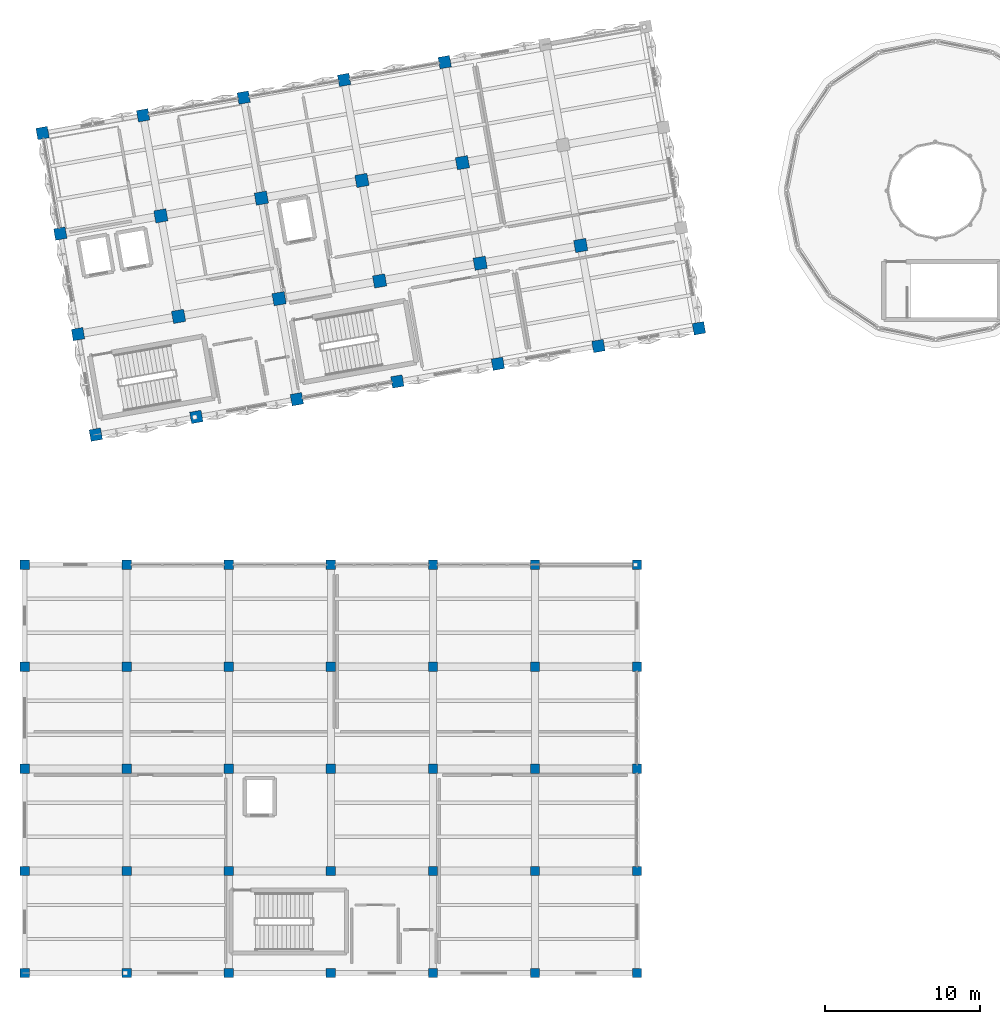
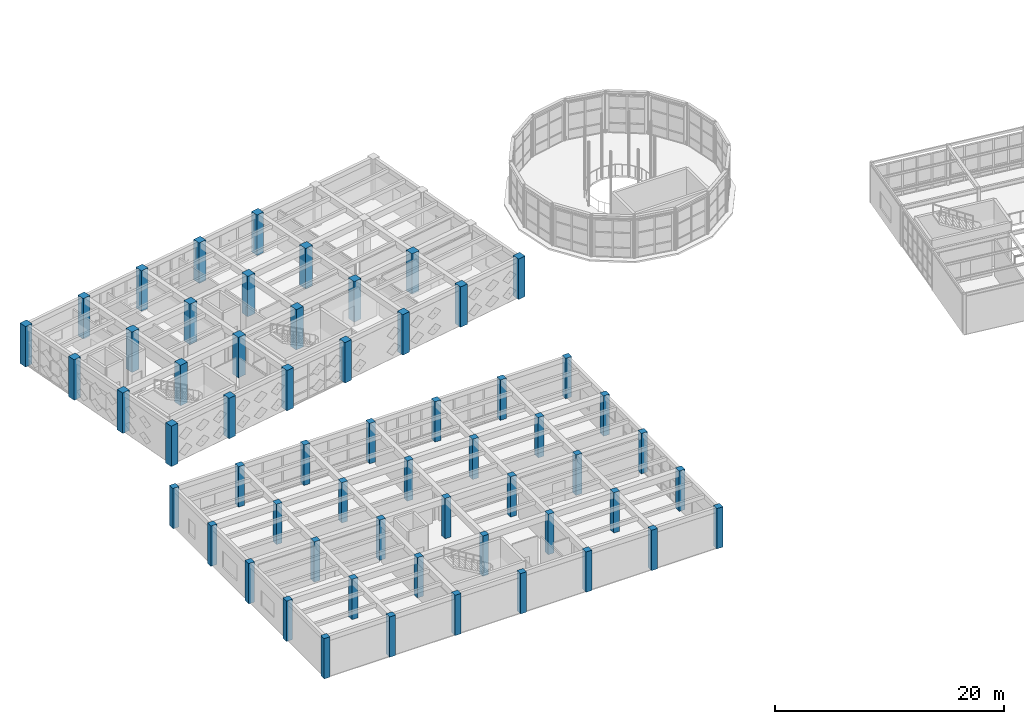
# One storey, part 1 of 80: 58 columns.
"""IFC4 building model written with IfcOpenShell, lengths in metres."""

from ifc_helpers import new_model, si_unit, direction, frame, origin, origin_2d, place, context, subcontext, project, spatial, rectangle, extrude, material, material_profile, profile_set, type_object, element, save


model = new_model("IFC4")

# Units and contexts
model_context = context("Model", 3, precision=1e-05, world=origin(), true_north=direction((0.0, 1.0)))
body_context = subcontext(model_context, "Body", "Model", "MODEL_VIEW")
ifc_project = project(units=[si_unit("LENGTHUNIT", "METRE"), si_unit("AREAUNIT", "SQUARE_METRE"), si_unit("VOLUMEUNIT", "CUBIC_METRE"), si_unit("PLANEANGLEUNIT", "RADIAN"), si_unit("MASSUNIT", "GRAM", prefix="KILO")], contexts=[model_context])

# Site, building, storey
site_placement = place(None, origin())
site = spatial("IfcSite", under=ifc_project, at=site_placement, CompositionType="ELEMENT")
building_placement = place(site_placement, origin())
building = spatial("IfcBuilding", under=site, at=building_placement, Name="Kharisveld Research Institute", CompositionType="ELEMENT")
storey_placement = place(building_placement, frame((0.0, 0.0, 5.10009765625)))
storey = spatial("IfcBuildingStorey", under=building, at=storey_placement, Name="L01", CompositionType="ELEMENT", Elevation=5.10009765625)

# Columns
ifc_material_1 = material(Name="Concrete C40/50", Category="concrete")
ifc_material_profile_1 = material_profile(ifc_material_1, rectangle(XDim=0.60009765625, YDim=0.60009765625, at=origin_2d()))
ifc_profile_set_1 = profile_set([ifc_material_profile_1], Name="Concrete C40/50")
column_type_1 = type_object("IfcColumnType", Name="COL_RC_600", PredefinedType="COLUMN", material=ifc_profile_set_1)
for number, where, z_axis, x_axis, name in (
    (1, (0.60009765625, 0.199951171875, 0.0), (0.0, 0.0, 1.0), (1.0, 0.0, 0.0), "COL:V3:L01:U0V0"),
    (2, (0.60009765625, 6.800048828125, 0.0), (0.0, 0.0, 1.0), (1.0, 0.0, 0.0), "COL:V3:L01:U0V1"),
    (3, (0.60009765625, 13.39990234375, 0.0), (0.0, 0.0, 1.0), (1.0, 0.0, 0.0), "COL:V3:L01:U0V2"),
    (4, (0.60009765625, 20.0, 0.0), (0.0, 0.0, 1.0), (1.0, 0.0, 0.0), "COL:V3:L01:U0V3"),
    (5, (0.60009765625, 26.60009765625, 0.0), (0.0, 0.0, 1.0), (1.0, 0.0, 0.0), "COL:V3:L01:U0V4"),
    (6, (7.199951171875, 0.199951171875, 0.0), (0.0, 0.0, 1.0), (1.0, 0.0, 0.0), "COL:V3:L01:U1V0"),
    (7, (7.199951171875, 6.800048828125, 0.0), (0.0, 0.0, 1.0), (1.0, 0.0, 0.0), "COL:V3:L01:U1V1"),
    (8, (7.199951171875, 13.39990234375, 0.0), (0.0, 0.0, 1.0), (1.0, 0.0, 0.0), "COL:V3:L01:U1V2"),
    (9, (7.199951171875, 20.0, 0.0), (0.0, 0.0, 1.0), (1.0, 0.0, 0.0), "COL:V3:L01:U1V3"),
    (10, (7.199951171875, 26.60009765625, 0.0), (0.0, 0.0, 1.0), (1.0, 0.0, 0.0), "COL:V3:L01:U1V4"),
    (11, (13.800048828125, 0.199951171875, 0.0), (0.0, 0.0, 1.0), (1.0, 0.0, 0.0), "COL:V3:L01:U2V0"),
    (12, (13.800048828125, 6.800048828125, 0.0), (0.0, 0.0, 1.0), (1.0, 0.0, 0.0), "COL:V3:L01:U2V1"),
    (13, (13.800048828125, 13.39990234375, 0.0), (0.0, 0.0, 1.0), (1.0, 0.0, 0.0), "COL:V3:L01:U2V2"),
    (14, (13.800048828125, 20.0, 0.0), (0.0, 0.0, 1.0), (1.0, 0.0, 0.0), "COL:V3:L01:U2V3"),
    (15, (13.800048828125, 26.60009765625, 0.0), (0.0, 0.0, 1.0), (1.0, 0.0, 0.0), "COL:V3:L01:U2V4"),
    (16, (20.39990234375, 0.199951171875, 0.0), (0.0, 0.0, 1.0), (1.0, 0.0, 0.0), "COL:V3:L01:U3V0"),
    (17, (20.39990234375, 6.800048828125, 0.0), (0.0, 0.0, 1.0), (1.0, 0.0, 0.0), "COL:V3:L01:U3V1"),
    (18, (20.39990234375, 13.39990234375, 0.0), (0.0, 0.0, 1.0), (1.0, 0.0, 0.0), "COL:V3:L01:U3V2"),
    (19, (20.39990234375, 20.0, 0.0), (0.0, 0.0, 1.0), (1.0, 0.0, 0.0), "COL:V3:L01:U3V3"),
    (20, (20.39990234375, 26.60009765625, 0.0), (0.0, 0.0, 1.0), (1.0, 0.0, 0.0), "COL:V3:L01:U3V4"),
    (21, (27.0, 0.199951171875, 0.0), (0.0, 0.0, 1.0), (1.0, 0.0, 0.0), "COL:V3:L01:U4V0"),
    (22, (27.0, 6.800048828125, 0.0), (0.0, 0.0, 1.0), (1.0, 0.0, 0.0), "COL:V3:L01:U4V1"),
    (23, (27.0, 13.39990234375, 0.0), (0.0, 0.0, 1.0), (1.0, 0.0, 0.0), "COL:V3:L01:U4V2"),
    (24, (27.0, 20.0, 0.0), (0.0, 0.0, 1.0), (1.0, 0.0, 0.0), "COL:V3:L01:U4V3"),
    (25, (27.0, 26.60009765625, 0.0), (0.0, 0.0, 1.0), (1.0, 0.0, 0.0), "COL:V3:L01:U4V4"),
    (26, (33.60009765625, 0.199951171875, 0.0), (0.0, 0.0, 1.0), (1.0, 0.0, 0.0), "COL:V3:L01:U5V0"),
    (27, (33.60009765625, 6.800048828125, 0.0), (0.0, 0.0, 1.0), (1.0, 0.0, 0.0), "COL:V3:L01:U5V1"),
    (28, (33.60009765625, 13.39990234375, 0.0), (0.0, 0.0, 1.0), (1.0, 0.0, 0.0), "COL:V3:L01:U5V2"),
    (29, (33.60009765625, 20.0, 0.0), (0.0, 0.0, 1.0), (1.0, 0.0, 0.0), "COL:V3:L01:U5V3"),
    (30, (33.60009765625, 26.60009765625, 0.0), (0.0, 0.0, 1.0), (1.0, 0.0, 0.0), "COL:V3:L01:U5V4"),
    (31, (40.199951171875, 0.199951171875, 0.0), (0.0, 0.0, 1.0), (1.0, 0.0, 0.0), "COL:V3:L01:U6V0"),
    (32, (40.199951171875, 6.800048828125, 0.0), (0.0, 0.0, 1.0), (1.0, 0.0, 0.0), "COL:V3:L01:U6V1"),
    (33, (40.199951171875, 13.39990234375, 0.0), (0.0, 0.0, 1.0), (1.0, 0.0, 0.0), "COL:V3:L01:U6V2"),
    (34, (40.199951171875, 20.0, 0.0), (0.0, 0.0, 1.0), (1.0, 0.0, 0.0), "COL:V3:L01:U6V3"),
    (35, (40.199951171875, 26.60009765625, 0.0), (0.0, 0.0, 1.0), (1.0, 0.0, 0.0), "COL:V3:L01:U6V4"),
):
    element("IfcColumn", number, at=place(storey_placement, frame(where, z_axis=z_axis, x_axis=x_axis)), inside=storey, type_object=column_type_1, Name=name, PredefinedType="COLUMN", context=body_context, shape_type="SweptSolid", body=[
        extrude(rectangle(XDim=0.60009765625, YDim=0.60009765625, at=origin_2d()), origin(), (0.0, 0.0, 1.0), 4.2998046875),
    ])
ifc_material_2 = material(Name="Concrete C50/60", Category="concrete")
ifc_material_profile_2 = material_profile(ifc_material_2, rectangle(XDim=0.75, YDim=0.75, at=origin_2d()))
ifc_profile_set_2 = profile_set([ifc_material_profile_2], Name="Concrete C50/60")
column_type_2 = type_object("IfcColumnType", Name="COL_RC_750", PredefinedType="COLUMN", material=ifc_profile_set_2)
for number, where, z_axis, x_axis, name in (
    (36, (5.199951171875, 35.010009765625, 0.0), (0.0, 0.0, 1.0), (0.984807753012, 0.173648177667, 0.0), "COL:V1:L01:U0V0"),
    (37, (4.053955078125, 41.509765625, 0.0), (0.0, 0.0, 1.0), (0.984807753012, 0.173648177667, 0.0), "COL:V1:L01:U0V1"),
    (38, (2.907958984375, 48.009521484375, 0.0), (0.0, 0.0, 1.0), (0.984807753012, 0.173648177667, 0.0), "COL:V1:L01:U0V2"),
    (39, (1.76171875, 54.50927734375, 0.0), (0.0, 0.0, 1.0), (0.984807753012, 0.173648177667, 0.0), "COL:V1:L01:U0V3"),
    (40, (11.69970703125, 36.156005859375, 0.0), (0.0, 0.0, 1.0), (0.984807753012, 0.173648177667, 0.0), "COL:V1:L01:U1V0"),
    (41, (8.261474609375, 55.6552734375, 0.0), (0.0, 0.0, 1.0), (0.984807753012, 0.173648177667, 0.0), "COL:V1:L01:U1V3"),
    (42, (18.199462890625, 37.30224609375, 0.0), (0.0, 0.0, 1.0), (0.984807753012, 0.173648177667, 0.0), "COL:V1:L01:U2V0"),
    (43, (14.76123046875, 56.80126953125, 0.0), (0.0, 0.0, 1.0), (0.984807753012, 0.173648177667, 0.0), "COL:V1:L01:U2V3"),
    (44, (24.69921875, 38.4482421875, 0.0), (0.0, 0.0, 1.0), (0.984807753012, 0.173648177667, 0.0), "COL:V1:L01:U3V0"),
    (45, (21.260986328125, 57.947509765625, 0.0), (0.0, 0.0, 1.0), (0.984807753012, 0.173648177667, 0.0), "COL:V1:L01:U3V3"),
    (46, (31.198974609375, 39.59423828125, 0.0), (0.0, 0.0, 1.0), (0.984807753012, 0.173648177667, 0.0), "COL:V1:L01:U4V0"),
    (47, (27.7607421875, 59.093505859375, 0.0), (0.0, 0.0, 1.0), (0.984807753012, 0.173648177667, 0.0), "COL:V1:L01:U4V3"),
    (48, (37.69873046875, 40.740478515625, 0.0), (0.0, 0.0, 1.0), (0.984807753012, 0.173648177667, 0.0), "COL:V1:L01:U5V0"),
    (49, (44.198486328125, 41.886474609375, 0.0), (0.0, 0.0, 1.0), (0.984807753012, 0.173648177667, 0.0), "COL:V1:L01:U6V0"),
):
    element("IfcColumn", number, at=place(storey_placement, frame(where, z_axis=z_axis, x_axis=x_axis)), inside=storey, type_object=column_type_2, Name=name, PredefinedType="COLUMN", context=body_context, shape_type="SweptSolid", body=[
        extrude(rectangle(XDim=0.75, YDim=0.75, at=origin_2d()), origin(), (0.0, 0.0, 1.0), 4.309814453125),
    ])
ifc_material_3 = material(Name="Concrete C50/60", Category="concrete")
ifc_material_profile_3 = material_profile(ifc_material_3, rectangle(XDim=0.800048828125, YDim=0.800048828125, at=origin_2d()))
ifc_profile_set_3 = profile_set([ifc_material_profile_3], Name="Concrete C50/60")
column_type_3 = type_object("IfcColumnType", Name="COL_RC_800", PredefinedType="COLUMN", material=ifc_profile_set_3)
for number, where, z_axis, x_axis, name in (
    (50, (10.5537109375, 42.65576171875, 0.0), (0.0, 0.0, 1.0), (0.984807753012, 0.173648177667, 0.0), "COL:V1:L01:U1V1"),
    (51, (9.407470703125, 49.155517578125, 0.0), (0.0, 0.0, 1.0), (0.984807753012, 0.173648177667, 0.0), "COL:V1:L01:U1V2"),
    (52, (17.053466796875, 43.802001953125, 0.0), (0.0, 0.0, 1.0), (0.984807753012, 0.173648177667, 0.0), "COL:V1:L01:U2V1"),
    (53, (15.9072265625, 50.301513671875, 0.0), (0.0, 0.0, 1.0), (0.984807753012, 0.173648177667, 0.0), "COL:V1:L01:U2V2"),
    (54, (23.55322265625, 44.947998046875, 0.0), (0.0, 0.0, 1.0), (0.984807753012, 0.173648177667, 0.0), "COL:V1:L01:U3V1"),
    (55, (22.406982421875, 51.44775390625, 0.0), (0.0, 0.0, 1.0), (0.984807753012, 0.173648177667, 0.0), "COL:V1:L01:U3V2"),
    (56, (30.052734375, 46.093994140625, 0.0), (0.0, 0.0, 1.0), (0.984807753012, 0.173648177667, 0.0), "COL:V1:L01:U4V1"),
    (57, (28.90673828125, 52.59375, 0.0), (0.0, 0.0, 1.0), (0.984807753012, 0.173648177667, 0.0), "COL:V1:L01:U4V2"),
    (58, (36.552490234375, 47.240234375, 0.0), (0.0, 0.0, 1.0), (0.984807753012, 0.173648177667, 0.0), "COL:V1:L01:U5V1"),
):
    element("IfcColumn", number, at=place(storey_placement, frame(where, z_axis=z_axis, x_axis=x_axis)), inside=storey, type_object=column_type_3, Name=name, PredefinedType="COLUMN", context=body_context, shape_type="SweptSolid", body=[
        extrude(rectangle(XDim=0.800048828125, YDim=0.800048828125, at=origin_2d()), origin(), (0.0, 0.0, 1.0), 4.309814453125),
    ])

save(model, "model.ifc")
